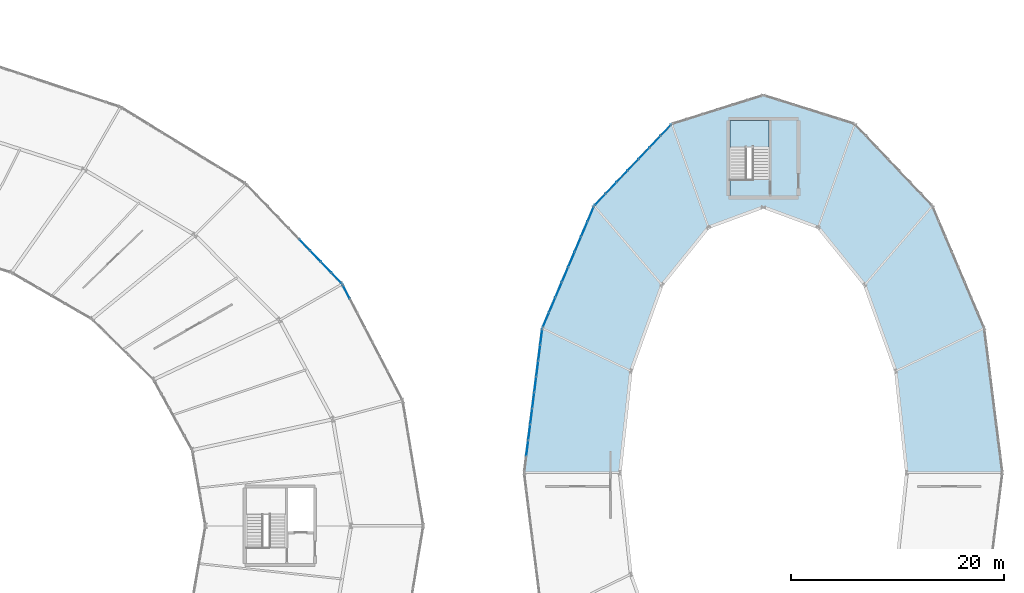
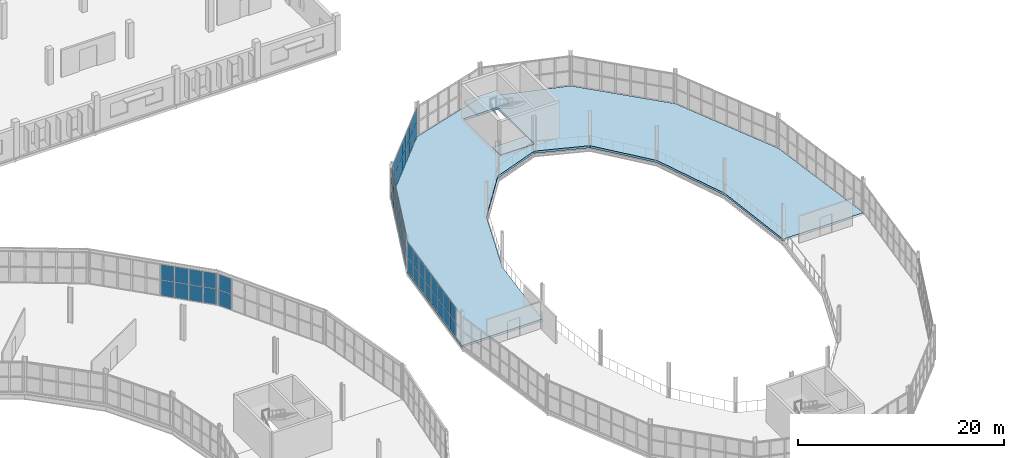
# One storey, part 124 of 161: 56 plates, 3 slabs, 6 elements without a shape of their own.
"""IFC4 building model written with IfcOpenShell, lengths in metres."""

from ifc_helpers import new_model, si_unit, direction, frame, origin, origin_2d, place, context, subcontext, project, spatial, polyline, rectangle, outline, extrude, material, layer, layer_set, type_object, element, aggregate, save


model = new_model("IFC4")

# Units and contexts
model_context = context("Model", 3, precision=1e-05, world=origin(), true_north=direction((0.0, 1.0)))
body_context = subcontext(model_context, "Body", "Model", "MODEL_VIEW")
ifc_project = project(units=[si_unit("LENGTHUNIT", "METRE"), si_unit("AREAUNIT", "SQUARE_METRE"), si_unit("VOLUMEUNIT", "CUBIC_METRE"), si_unit("PLANEANGLEUNIT", "RADIAN"), si_unit("MASSUNIT", "GRAM", prefix="KILO")], contexts=[model_context])

# Site, building, storey
site_placement = place(None, origin())
site = spatial("IfcSite", under=ifc_project, at=site_placement, CompositionType="ELEMENT")
building_placement = place(site_placement, origin())
building = spatial("IfcBuilding", under=site, at=building_placement, Name="Kildeholm Park Wholesale Market", CompositionType="ELEMENT")
storey_placement = place(building_placement, frame((0.0, 0.0, 5.39990234375)))
storey = spatial("IfcBuildingStorey", under=building, at=storey_placement, Name="L01", CompositionType="ELEMENT", Elevation=5.39990234375)

# Curtain wall, plates
ifc_material_1 = material(Name="Anodised aluminium and low-E double-glazed glass", Category="aluminium")
curtain_wall_type = type_object("IfcCurtainWallType", Name="Market hall glazed arcade stick curtain wall CW-01", PredefinedType="NOTDEFINED", material=ifc_material_1)
curtain_wall_1_placement = place(storey_placement, origin())
curtain_wall_1 = element("IfcCurtainWall", 1, at=curtain_wall_1_placement, inside=storey, type_object=curtain_wall_type, Name="Curtain wall CW-V1-OT-01-1 CW-0006", PredefinedType="NOTDEFINED")
ifc_material_2 = material(Name="Double-glazed low-E insulated glass", Category="glass")
ifc_layer_1 = layer(ifc_material_2, 0.028076171875)
ifc_layer_set_1 = layer_set([ifc_layer_1], Name="Double-glazed low-E insulated glass")
plate_type = type_object("IfcPlateType", Name="Curtain-wall panel CWP-1 28 mm", PredefinedType="CURTAIN_PANEL", material=ifc_layer_set_1)
plate_1_placement = place(storey_placement, frame((148.7490234375, 111.52099609375, 0.06494140625), z_axis=(0.0, 0.0, 1.0), x_axis=(-0.460514375909, 0.88765224586, 0.0)))
plate_1 = element("IfcPlate", 2, at=plate_1_placement, type_object=plate_type, Name="CW-01 panel 8.1 PLT-0246", PredefinedType="CURTAIN_PANEL", context=body_context, shape_type="SweptSolid", body=[
    extrude(rectangle(XDim=1.43798828125, YDim=0.028076171875, at=origin_2d()), origin(), (0.0, 0.0, 1.0), 1.802490234375),
])
plate_2_placement = place(storey_placement, frame((148.7490234375, 111.52099609375, 1.9326171875), z_axis=(0.0, 0.0, 1.0), x_axis=(-0.460514375909, 0.88765224586, 0.0)))
plate_2 = element("IfcPlate", 3, at=plate_2_placement, type_object=plate_type, Name="CW-01 panel 8.2 PLT-0247", PredefinedType="CURTAIN_PANEL", context=body_context, shape_type="SweptSolid", body=[
    extrude(rectangle(XDim=1.43798828125, YDim=0.028076171875, at=origin_2d()), origin(), (0.0, 0.0, 1.0), 1.802490234375),
])
aggregate(curtain_wall_1, [plate_1, plate_2])

curtain_wall_2_placement = place(storey_placement, origin())
curtain_wall_2 = element("IfcCurtainWall", 4, at=curtain_wall_2_placement, inside=storey, type_object=curtain_wall_type, Name="Curtain wall CW-V1-OT-02-1 CW-0011", PredefinedType="NOTDEFINED")
plate_3_placement = place(storey_placement, frame((147.82958984375, 112.81396484375, 0.06494140625), z_axis=(0.0, 0.0, 1.0), x_axis=(-0.69303795493, 0.720901097951, 0.0)))
plate_3 = element("IfcPlate", 5, at=plate_3_placement, type_object=plate_type, Name="CW-01 panel 1.1 PLT-0292", PredefinedType="CURTAIN_PANEL", context=body_context, shape_type="SweptSolid", body=[
    extrude(rectangle(XDim=1.345947265625, YDim=0.028076171875, at=origin_2d()), origin(), (0.0, 0.0, 1.0), 1.802490234375),
])
plate_4_placement = place(storey_placement, frame((147.82958984375, 112.81396484375, 1.9326171875), z_axis=(0.0, 0.0, 1.0), x_axis=(-0.69303795493, 0.720901097951, 0.0)))
plate_4 = element("IfcPlate", 6, at=plate_4_placement, type_object=plate_type, Name="CW-01 panel 1.2 PLT-0293", PredefinedType="CURTAIN_PANEL", context=body_context, shape_type="SweptSolid", body=[
    extrude(rectangle(XDim=1.345947265625, YDim=0.028076171875, at=origin_2d()), origin(), (0.0, 0.0, 1.0), 1.802490234375),
])
plate_5_placement = place(storey_placement, frame((146.84033203125, 113.843017578125, 0.06494140625), z_axis=(0.0, 0.0, 1.0), x_axis=(-0.69303795493, 0.720901097951, 0.0)))
plate_5 = element("IfcPlate", 7, at=plate_5_placement, type_object=plate_type, Name="CW-01 panel 2.1 PLT-0294", PredefinedType="CURTAIN_PANEL", context=body_context, shape_type="SweptSolid", body=[
    extrude(rectangle(XDim=1.378662109375, YDim=0.028076171875, at=origin_2d()), origin(), (0.0, 0.0, 1.0), 1.802490234375),
])
plate_6_placement = place(storey_placement, frame((146.84033203125, 113.843017578125, 1.9326171875), z_axis=(0.0, 0.0, 1.0), x_axis=(-0.69303795493, 0.720901097951, 0.0)))
plate_6 = element("IfcPlate", 8, at=plate_6_placement, type_object=plate_type, Name="CW-01 panel 2.2 PLT-0295", PredefinedType="CURTAIN_PANEL", context=body_context, shape_type="SweptSolid", body=[
    extrude(rectangle(XDim=1.378662109375, YDim=0.028076171875, at=origin_2d()), origin(), (0.0, 0.0, 1.0), 1.802490234375),
])
plate_7_placement = place(storey_placement, frame((145.83984375, 114.883544921875, 0.06494140625), z_axis=(0.0, 0.0, 1.0), x_axis=(-0.69303795493, 0.720901097951, 0.0)))
plate_7 = element("IfcPlate", 9, at=plate_7_placement, type_object=plate_type, Name="CW-01 panel 3.1 PLT-0296", PredefinedType="CURTAIN_PANEL", context=body_context, shape_type="SweptSolid", body=[
    extrude(rectangle(XDim=1.378662109375, YDim=0.028076171875, at=origin_2d()), origin(), (0.0, 0.0, 1.0), 1.802490234375),
])
plate_8_placement = place(storey_placement, frame((145.83984375, 114.883544921875, 1.9326171875), z_axis=(0.0, 0.0, 1.0), x_axis=(-0.69303795493, 0.720901097951, 0.0)))
plate_8 = element("IfcPlate", 10, at=plate_8_placement, type_object=plate_type, Name="CW-01 panel 3.2 PLT-0297", PredefinedType="CURTAIN_PANEL", context=body_context, shape_type="SweptSolid", body=[
    extrude(rectangle(XDim=1.378662109375, YDim=0.028076171875, at=origin_2d()), origin(), (0.0, 0.0, 1.0), 1.802490234375),
])
plate_9_placement = place(storey_placement, frame((144.83935546875, 115.92431640625, 0.06494140625), z_axis=(0.0, 0.0, 1.0), x_axis=(-0.69303795493, 0.720901097951, 0.0)))
plate_9 = element("IfcPlate", 11, at=plate_9_placement, type_object=plate_type, Name="CW-01 panel 4.1 PLT-0298", PredefinedType="CURTAIN_PANEL", context=body_context, shape_type="SweptSolid", body=[
    extrude(rectangle(XDim=1.378662109375, YDim=0.028076171875, at=origin_2d()), origin(), (0.0, 0.0, 1.0), 1.802490234375),
])
plate_10_placement = place(storey_placement, frame((144.83935546875, 115.92431640625, 1.9326171875), z_axis=(0.0, 0.0, 1.0), x_axis=(-0.69303795493, 0.720901097951, 0.0)))
plate_10 = element("IfcPlate", 12, at=plate_10_placement, type_object=plate_type, Name="CW-01 panel 4.2 PLT-0299", PredefinedType="CURTAIN_PANEL", context=body_context, shape_type="SweptSolid", body=[
    extrude(rectangle(XDim=1.378662109375, YDim=0.028076171875, at=origin_2d()), origin(), (0.0, 0.0, 1.0), 1.802490234375),
])
aggregate(curtain_wall_2, [plate_3, plate_4, plate_5, plate_6, plate_7, plate_8, plate_9, plate_10])

curtain_wall_3_placement = place(storey_placement, origin())
curtain_wall_3 = element("IfcCurtainWall", 13, at=curtain_wall_3_placement, inside=storey, type_object=curtain_wall_type, Name="Curtain wall CW-V2-L01-05 CW-0124", PredefinedType="NOTDEFINED")
plate_11_placement = place(storey_placement, frame((178.830322265625, 126.720458984375, 0.06494140625), z_axis=(0.0, 0.0, 1.0), x_axis=(-0.688147627866, -0.725570701078, 0.0)))
plate_11 = element("IfcPlate", 14, at=plate_11_placement, type_object=plate_type, Name="CW-01 panel 1.1 PLT-1812", PredefinedType="CURTAIN_PANEL", context=body_context, shape_type="SweptSolid", body=[
    extrude(rectangle(XDim=1.406494140625, YDim=0.028076171875, at=origin_2d()), origin(), (0.0, 0.0, 1.0), 1.677490234375),
])
plate_12_placement = place(storey_placement, frame((178.830322265625, 126.720458984375, 1.8076171875), z_axis=(0.0, 0.0, 1.0), x_axis=(-0.688147627866, -0.725570701078, 0.0)))
plate_12 = element("IfcPlate", 15, at=plate_12_placement, type_object=plate_type, Name="CW-01 panel 1.2 PLT-1813", PredefinedType="CURTAIN_PANEL", context=body_context, shape_type="SweptSolid", body=[
    extrude(rectangle(XDim=1.406494140625, YDim=0.028076171875, at=origin_2d()), origin(), (0.0, 0.0, 1.0), 1.677490234375),
])
plate_13_placement = place(storey_placement, frame((177.806396484375, 125.64111328125, 0.06494140625), z_axis=(0.0, 0.0, 1.0), x_axis=(-0.688147627866, -0.725570701078, 0.0)))
plate_13 = element("IfcPlate", 16, at=plate_13_placement, type_object=plate_type, Name="CW-01 panel 2.1 PLT-1814", PredefinedType="CURTAIN_PANEL", context=body_context, shape_type="SweptSolid", body=[
    extrude(rectangle(XDim=1.43896484375, YDim=0.028076171875, at=origin_2d()), origin(), (0.0, 0.0, 1.0), 1.677490234375),
])
plate_14_placement = place(storey_placement, frame((177.806396484375, 125.64111328125, 1.8076171875), z_axis=(0.0, 0.0, 1.0), x_axis=(-0.688147627866, -0.725570701078, 0.0)))
plate_14 = element("IfcPlate", 17, at=plate_14_placement, type_object=plate_type, Name="CW-01 panel 2.2 PLT-1815", PredefinedType="CURTAIN_PANEL", context=body_context, shape_type="SweptSolid", body=[
    extrude(rectangle(XDim=1.43896484375, YDim=0.028076171875, at=origin_2d()), origin(), (0.0, 0.0, 1.0), 1.677490234375),
])
plate_15_placement = place(storey_placement, frame((176.771484375, 124.5498046875, 0.06494140625), z_axis=(0.0, 0.0, 1.0), x_axis=(-0.688147627866, -0.725570701078, 0.0)))
plate_15 = element("IfcPlate", 18, at=plate_15_placement, type_object=plate_type, Name="CW-01 panel 3.1 PLT-1816", PredefinedType="CURTAIN_PANEL", context=body_context, shape_type="SweptSolid", body=[
    extrude(rectangle(XDim=1.43896484375, YDim=0.028076171875, at=origin_2d()), origin(), (0.0, 0.0, 1.0), 1.677490234375),
])
plate_16_placement = place(storey_placement, frame((176.771484375, 124.5498046875, 1.8076171875), z_axis=(0.0, 0.0, 1.0), x_axis=(-0.688147627866, -0.725570701078, 0.0)))
plate_16 = element("IfcPlate", 19, at=plate_16_placement, type_object=plate_type, Name="CW-01 panel 3.2 PLT-1817", PredefinedType="CURTAIN_PANEL", context=body_context, shape_type="SweptSolid", body=[
    extrude(rectangle(XDim=1.43896484375, YDim=0.028076171875, at=origin_2d()), origin(), (0.0, 0.0, 1.0), 1.677490234375),
])
plate_17_placement = place(storey_placement, frame((175.736572265625, 123.45849609375, 0.06494140625), z_axis=(0.0, 0.0, 1.0), x_axis=(-0.688147627866, -0.725570701078, 0.0)))
plate_17 = element("IfcPlate", 20, at=plate_17_placement, type_object=plate_type, Name="CW-01 panel 4.1 PLT-1818", PredefinedType="CURTAIN_PANEL", context=body_context, shape_type="SweptSolid", body=[
    extrude(rectangle(XDim=1.43896484375, YDim=0.028076171875, at=origin_2d()), origin(), (0.0, 0.0, 1.0), 1.677490234375),
])
plate_18_placement = place(storey_placement, frame((175.736572265625, 123.45849609375, 1.8076171875), z_axis=(0.0, 0.0, 1.0), x_axis=(-0.688147627866, -0.725570701078, 0.0)))
plate_18 = element("IfcPlate", 21, at=plate_18_placement, type_object=plate_type, Name="CW-01 panel 4.2 PLT-1819", PredefinedType="CURTAIN_PANEL", context=body_context, shape_type="SweptSolid", body=[
    extrude(rectangle(XDim=1.43896484375, YDim=0.028076171875, at=origin_2d()), origin(), (0.0, 0.0, 1.0), 1.677490234375),
])
plate_19_placement = place(storey_placement, frame((174.701416015625, 122.3671875, 0.06494140625), z_axis=(0.0, 0.0, 1.0), x_axis=(-0.688147627866, -0.725570701078, 0.0)))
plate_19 = element("IfcPlate", 22, at=plate_19_placement, type_object=plate_type, Name="CW-01 panel 5.1 PLT-1820", PredefinedType="CURTAIN_PANEL", context=body_context, shape_type="SweptSolid", body=[
    extrude(rectangle(XDim=1.43896484375, YDim=0.028076171875, at=origin_2d()), origin(), (0.0, 0.0, 1.0), 1.677490234375),
])
plate_20_placement = place(storey_placement, frame((174.701416015625, 122.3671875, 1.8076171875), z_axis=(0.0, 0.0, 1.0), x_axis=(-0.688147627866, -0.725570701078, 0.0)))
plate_20 = element("IfcPlate", 23, at=plate_20_placement, type_object=plate_type, Name="CW-01 panel 5.2 PLT-1821", PredefinedType="CURTAIN_PANEL", context=body_context, shape_type="SweptSolid", body=[
    extrude(rectangle(XDim=1.43896484375, YDim=0.028076171875, at=origin_2d()), origin(), (0.0, 0.0, 1.0), 1.677490234375),
])
plate_21_placement = place(storey_placement, frame((173.66650390625, 121.27587890625, 0.06494140625), z_axis=(0.0, 0.0, 1.0), x_axis=(-0.688147627866, -0.725570701078, 0.0)))
plate_21 = element("IfcPlate", 24, at=plate_21_placement, type_object=plate_type, Name="CW-01 panel 6.1 PLT-1822", PredefinedType="CURTAIN_PANEL", context=body_context, shape_type="SweptSolid", body=[
    extrude(rectangle(XDim=1.43896484375, YDim=0.028076171875, at=origin_2d()), origin(), (0.0, 0.0, 1.0), 1.677490234375),
])
plate_22_placement = place(storey_placement, frame((173.66650390625, 121.27587890625, 1.8076171875), z_axis=(0.0, 0.0, 1.0), x_axis=(-0.688147627866, -0.725570701078, 0.0)))
plate_22 = element("IfcPlate", 25, at=plate_22_placement, type_object=plate_type, Name="CW-01 panel 6.2 PLT-1823", PredefinedType="CURTAIN_PANEL", context=body_context, shape_type="SweptSolid", body=[
    extrude(rectangle(XDim=1.43896484375, YDim=0.028076171875, at=origin_2d()), origin(), (0.0, 0.0, 1.0), 1.677490234375),
])
plate_23_placement = place(storey_placement, frame((172.642578125, 120.196533203125, 0.06494140625), z_axis=(0.0, 0.0, 1.0), x_axis=(-0.688147627866, -0.725570701078, 0.0)))
plate_23 = element("IfcPlate", 26, at=plate_23_placement, type_object=plate_type, Name="CW-01 panel 7.1 PLT-1824", PredefinedType="CURTAIN_PANEL", context=body_context, shape_type="SweptSolid", body=[
    extrude(rectangle(XDim=1.406494140625, YDim=0.028076171875, at=origin_2d()), origin(), (0.0, 0.0, 1.0), 1.677490234375),
])
plate_24_placement = place(storey_placement, frame((172.642578125, 120.196533203125, 1.8076171875), z_axis=(0.0, 0.0, 1.0), x_axis=(-0.688147627866, -0.725570701078, 0.0)))
plate_24 = element("IfcPlate", 27, at=plate_24_placement, type_object=plate_type, Name="CW-01 panel 7.2 PLT-1825", PredefinedType="CURTAIN_PANEL", context=body_context, shape_type="SweptSolid", body=[
    extrude(rectangle(XDim=1.406494140625, YDim=0.028076171875, at=origin_2d()), origin(), (0.0, 0.0, 1.0), 1.677490234375),
])
aggregate(curtain_wall_3, [plate_11, plate_12, plate_13, plate_14, plate_15, plate_16, plate_17, plate_18, plate_19, plate_20, plate_21, plate_22, plate_23, plate_24])

curtain_wall_4_placement = place(storey_placement, origin())
curtain_wall_4 = element("IfcCurtainWall", 28, at=curtain_wall_4_placement, inside=storey, type_object=curtain_wall_type, Name="Curtain wall CW-V2-L01-06 CW-0125", PredefinedType="NOTDEFINED")
plate_25_placement = place(storey_placement, frame((171.7607421875, 118.8408203125, 0.06494140625), z_axis=(0.0, 0.0, 1.0), x_axis=(-0.389905076002, -0.920855054668, 0.0)))
plate_25 = element("IfcPlate", 29, at=plate_25_placement, type_object=plate_type, Name="CW-01 panel 1.1 PLT-1826", PredefinedType="CURTAIN_PANEL", context=body_context, shape_type="SweptSolid", body=[
    extrude(rectangle(XDim=1.4560546875, YDim=0.028076171875, at=origin_2d()), origin(), (0.0, 0.0, 1.0), 1.677490234375),
])
plate_26_placement = place(storey_placement, frame((171.7607421875, 118.8408203125, 1.8076171875), z_axis=(0.0, 0.0, 1.0), x_axis=(-0.389905076002, -0.920855054668, 0.0)))
plate_26 = element("IfcPlate", 30, at=plate_26_placement, type_object=plate_type, Name="CW-01 panel 1.2 PLT-1827", PredefinedType="CURTAIN_PANEL", context=body_context, shape_type="SweptSolid", body=[
    extrude(rectangle(XDim=1.4560546875, YDim=0.028076171875, at=origin_2d()), origin(), (0.0, 0.0, 1.0), 1.677490234375),
])
plate_27_placement = place(storey_placement, frame((171.161376953125, 117.425048828125, 0.06494140625), z_axis=(0.0, 0.0, 1.0), x_axis=(-0.389905076002, -0.920855054668, 0.0)))
plate_27 = element("IfcPlate", 31, at=plate_27_placement, type_object=plate_type, Name="CW-01 panel 2.1 PLT-1828", PredefinedType="CURTAIN_PANEL", context=body_context, shape_type="SweptSolid", body=[
    extrude(rectangle(XDim=1.488525390625, YDim=0.028076171875, at=origin_2d()), origin(), (0.0, 0.0, 1.0), 1.677490234375),
])
plate_28_placement = place(storey_placement, frame((171.161376953125, 117.425048828125, 1.8076171875), z_axis=(0.0, 0.0, 1.0), x_axis=(-0.389905076002, -0.920855054668, 0.0)))
plate_28 = element("IfcPlate", 32, at=plate_28_placement, type_object=plate_type, Name="CW-01 panel 2.2 PLT-1829", PredefinedType="CURTAIN_PANEL", context=body_context, shape_type="SweptSolid", body=[
    extrude(rectangle(XDim=1.488525390625, YDim=0.028076171875, at=origin_2d()), origin(), (0.0, 0.0, 1.0), 1.677490234375),
])
plate_29_placement = place(storey_placement, frame((170.5556640625, 115.994384765625, 0.06494140625), z_axis=(0.0, 0.0, 1.0), x_axis=(-0.389905076002, -0.920855054668, 0.0)))
plate_29 = element("IfcPlate", 33, at=plate_29_placement, type_object=plate_type, Name="CW-01 panel 3.1 PLT-1830", PredefinedType="CURTAIN_PANEL", context=body_context, shape_type="SweptSolid", body=[
    extrude(rectangle(XDim=1.488525390625, YDim=0.028076171875, at=origin_2d()), origin(), (0.0, 0.0, 1.0), 1.677490234375),
])
plate_30_placement = place(storey_placement, frame((170.5556640625, 115.994384765625, 1.8076171875), z_axis=(0.0, 0.0, 1.0), x_axis=(-0.389905076002, -0.920855054668, 0.0)))
plate_30 = element("IfcPlate", 34, at=plate_30_placement, type_object=plate_type, Name="CW-01 panel 3.2 PLT-1831", PredefinedType="CURTAIN_PANEL", context=body_context, shape_type="SweptSolid", body=[
    extrude(rectangle(XDim=1.488525390625, YDim=0.028076171875, at=origin_2d()), origin(), (0.0, 0.0, 1.0), 1.677490234375),
])
plate_31_placement = place(storey_placement, frame((169.949951171875, 114.563720703125, 0.06494140625), z_axis=(0.0, 0.0, 1.0), x_axis=(-0.389905076002, -0.920855054668, 0.0)))
plate_31 = element("IfcPlate", 35, at=plate_31_placement, type_object=plate_type, Name="CW-01 panel 4.1 PLT-1832", PredefinedType="CURTAIN_PANEL", context=body_context, shape_type="SweptSolid", body=[
    extrude(rectangle(XDim=1.488525390625, YDim=0.028076171875, at=origin_2d()), origin(), (0.0, 0.0, 1.0), 1.677490234375),
])
plate_32_placement = place(storey_placement, frame((169.949951171875, 114.563720703125, 1.8076171875), z_axis=(0.0, 0.0, 1.0), x_axis=(-0.389905076002, -0.920855054668, 0.0)))
plate_32 = element("IfcPlate", 36, at=plate_32_placement, type_object=plate_type, Name="CW-01 panel 4.2 PLT-1833", PredefinedType="CURTAIN_PANEL", context=body_context, shape_type="SweptSolid", body=[
    extrude(rectangle(XDim=1.488525390625, YDim=0.028076171875, at=origin_2d()), origin(), (0.0, 0.0, 1.0), 1.677490234375),
])
plate_33_placement = place(storey_placement, frame((169.34423828125, 113.13330078125, 0.06494140625), z_axis=(0.0, 0.0, 1.0), x_axis=(-0.389905076002, -0.920855054668, 0.0)))
plate_33 = element("IfcPlate", 37, at=plate_33_placement, type_object=plate_type, Name="CW-01 panel 5.1 PLT-1834", PredefinedType="CURTAIN_PANEL", context=body_context, shape_type="SweptSolid", body=[
    extrude(rectangle(XDim=1.488525390625, YDim=0.028076171875, at=origin_2d()), origin(), (0.0, 0.0, 1.0), 1.677490234375),
])
plate_34_placement = place(storey_placement, frame((169.34423828125, 113.13330078125, 1.8076171875), z_axis=(0.0, 0.0, 1.0), x_axis=(-0.389905076002, -0.920855054668, 0.0)))
plate_34 = element("IfcPlate", 38, at=plate_34_placement, type_object=plate_type, Name="CW-01 panel 5.2 PLT-1835", PredefinedType="CURTAIN_PANEL", context=body_context, shape_type="SweptSolid", body=[
    extrude(rectangle(XDim=1.488525390625, YDim=0.028076171875, at=origin_2d()), origin(), (0.0, 0.0, 1.0), 1.677490234375),
])
plate_35_placement = place(storey_placement, frame((168.73828125, 111.70263671875, 0.06494140625), z_axis=(0.0, 0.0, 1.0), x_axis=(-0.389905076002, -0.920855054668, 0.0)))
plate_35 = element("IfcPlate", 39, at=plate_35_placement, type_object=plate_type, Name="CW-01 panel 6.1 PLT-1836", PredefinedType="CURTAIN_PANEL", context=body_context, shape_type="SweptSolid", body=[
    extrude(rectangle(XDim=1.488525390625, YDim=0.028076171875, at=origin_2d()), origin(), (0.0, 0.0, 1.0), 1.677490234375),
])
plate_36_placement = place(storey_placement, frame((168.73828125, 111.70263671875, 1.8076171875), z_axis=(0.0, 0.0, 1.0), x_axis=(-0.389905076002, -0.920855054668, 0.0)))
plate_36 = element("IfcPlate", 40, at=plate_36_placement, type_object=plate_type, Name="CW-01 panel 6.2 PLT-1837", PredefinedType="CURTAIN_PANEL", context=body_context, shape_type="SweptSolid", body=[
    extrude(rectangle(XDim=1.488525390625, YDim=0.028076171875, at=origin_2d()), origin(), (0.0, 0.0, 1.0), 1.677490234375),
])
plate_37_placement = place(storey_placement, frame((168.132568359375, 110.27197265625, 0.06494140625), z_axis=(0.0, 0.0, 1.0), x_axis=(-0.389905076002, -0.920855054668, 0.0)))
plate_37 = element("IfcPlate", 41, at=plate_37_placement, type_object=plate_type, Name="CW-01 panel 7.1 PLT-1838", PredefinedType="CURTAIN_PANEL", context=body_context, shape_type="SweptSolid", body=[
    extrude(rectangle(XDim=1.488525390625, YDim=0.028076171875, at=origin_2d()), origin(), (0.0, 0.0, 1.0), 1.677490234375),
])
plate_38_placement = place(storey_placement, frame((168.132568359375, 110.27197265625, 1.8076171875), z_axis=(0.0, 0.0, 1.0), x_axis=(-0.389905076002, -0.920855054668, 0.0)))
plate_38 = element("IfcPlate", 42, at=plate_38_placement, type_object=plate_type, Name="CW-01 panel 7.2 PLT-1839", PredefinedType="CURTAIN_PANEL", context=body_context, shape_type="SweptSolid", body=[
    extrude(rectangle(XDim=1.488525390625, YDim=0.028076171875, at=origin_2d()), origin(), (0.0, 0.0, 1.0), 1.677490234375),
])
plate_39_placement = place(storey_placement, frame((167.533203125, 108.856201171875, 0.06494140625), z_axis=(0.0, 0.0, 1.0), x_axis=(-0.389905076002, -0.920855054668, 0.0)))
plate_39 = element("IfcPlate", 43, at=plate_39_placement, type_object=plate_type, Name="CW-01 panel 8.1 PLT-1840", PredefinedType="CURTAIN_PANEL", context=body_context, shape_type="SweptSolid", body=[
    extrude(rectangle(XDim=1.4560546875, YDim=0.028076171875, at=origin_2d()), origin(), (0.0, 0.0, 1.0), 1.677490234375),
])
plate_40_placement = place(storey_placement, frame((167.533203125, 108.856201171875, 1.8076171875), z_axis=(0.0, 0.0, 1.0), x_axis=(-0.389905076002, -0.920855054668, 0.0)))
plate_40 = element("IfcPlate", 44, at=plate_40_placement, type_object=plate_type, Name="CW-01 panel 8.2 PLT-1841", PredefinedType="CURTAIN_PANEL", context=body_context, shape_type="SweptSolid", body=[
    extrude(rectangle(XDim=1.4560546875, YDim=0.028076171875, at=origin_2d()), origin(), (0.0, 0.0, 1.0), 1.677490234375),
])
aggregate(curtain_wall_4, [plate_25, plate_26, plate_27, plate_28, plate_29, plate_30, plate_31, plate_32, plate_33, plate_34, plate_35, plate_36, plate_37, plate_38, plate_39, plate_40])

curtain_wall_5_placement = place(storey_placement, origin())
curtain_wall_5 = element("IfcCurtainWall", 45, at=curtain_wall_5_placement, inside=storey, type_object=curtain_wall_type, Name="Curtain wall CW-V2-L01-07 CW-0126", PredefinedType="NOTDEFINED")
plate_41_placement = place(storey_placement, frame((167.1064453125, 107.281494140625, 0.06494140625), z_axis=(0.0, 0.0, 1.0), x_axis=(-0.12509240377, -0.992145095497, 0.0)))
plate_41 = element("IfcPlate", 46, at=plate_41_placement, type_object=plate_type, Name="CW-01 panel 1.1 PLT-1842", PredefinedType="CURTAIN_PANEL", context=body_context, shape_type="SweptSolid", body=[
    extrude(rectangle(XDim=1.4150390625, YDim=0.028076171875, at=origin_2d()), origin(), (0.0, 0.0, 1.0), 1.677490234375),
])
plate_42_placement = place(storey_placement, frame((167.1064453125, 107.281494140625, 1.8076171875), z_axis=(0.0, 0.0, 1.0), x_axis=(-0.12509240377, -0.992145095497, 0.0)))
plate_42 = element("IfcPlate", 47, at=plate_42_placement, type_object=plate_type, Name="CW-01 panel 1.2 PLT-1843", PredefinedType="CURTAIN_PANEL", context=body_context, shape_type="SweptSolid", body=[
    extrude(rectangle(XDim=1.4150390625, YDim=0.028076171875, at=origin_2d()), origin(), (0.0, 0.0, 1.0), 1.677490234375),
])
plate_43_placement = place(storey_placement, frame((166.919189453125, 105.796875, 0.06494140625), z_axis=(0.0, 0.0, 1.0), x_axis=(-0.12509240377, -0.992145095497, 0.0)))
plate_43 = element("IfcPlate", 48, at=plate_43_placement, type_object=plate_type, Name="CW-01 panel 2.1 PLT-1844", PredefinedType="CURTAIN_PANEL", context=body_context, shape_type="SweptSolid", body=[
    extrude(rectangle(XDim=1.44775390625, YDim=0.028076171875, at=origin_2d()), origin(), (0.0, 0.0, 1.0), 1.677490234375),
])
plate_44_placement = place(storey_placement, frame((166.919189453125, 105.796875, 1.8076171875), z_axis=(0.0, 0.0, 1.0), x_axis=(-0.12509240377, -0.992145095497, 0.0)))
plate_44 = element("IfcPlate", 49, at=plate_44_placement, type_object=plate_type, Name="CW-01 panel 2.2 PLT-1845", PredefinedType="CURTAIN_PANEL", context=body_context, shape_type="SweptSolid", body=[
    extrude(rectangle(XDim=1.44775390625, YDim=0.028076171875, at=origin_2d()), origin(), (0.0, 0.0, 1.0), 1.677490234375),
])
plate_45_placement = place(storey_placement, frame((166.72998046875, 104.296142578125, 0.06494140625), z_axis=(0.0, 0.0, 1.0), x_axis=(-0.12509240377, -0.992145095497, 0.0)))
plate_45 = element("IfcPlate", 50, at=plate_45_placement, type_object=plate_type, Name="CW-01 panel 3.1 PLT-1846", PredefinedType="CURTAIN_PANEL", context=body_context, shape_type="SweptSolid", body=[
    extrude(rectangle(XDim=1.44775390625, YDim=0.028076171875, at=origin_2d()), origin(), (0.0, 0.0, 1.0), 1.677490234375),
])
plate_46_placement = place(storey_placement, frame((166.72998046875, 104.296142578125, 1.8076171875), z_axis=(0.0, 0.0, 1.0), x_axis=(-0.12509240377, -0.992145095497, 0.0)))
plate_46 = element("IfcPlate", 51, at=plate_46_placement, type_object=plate_type, Name="CW-01 panel 3.2 PLT-1847", PredefinedType="CURTAIN_PANEL", context=body_context, shape_type="SweptSolid", body=[
    extrude(rectangle(XDim=1.44775390625, YDim=0.028076171875, at=origin_2d()), origin(), (0.0, 0.0, 1.0), 1.677490234375),
])
plate_47_placement = place(storey_placement, frame((166.540771484375, 102.795166015625, 0.06494140625), z_axis=(0.0, 0.0, 1.0), x_axis=(-0.12509240377, -0.992145095497, 0.0)))
plate_47 = element("IfcPlate", 52, at=plate_47_placement, type_object=plate_type, Name="CW-01 panel 4.1 PLT-1848", PredefinedType="CURTAIN_PANEL", context=body_context, shape_type="SweptSolid", body=[
    extrude(rectangle(XDim=1.44775390625, YDim=0.028076171875, at=origin_2d()), origin(), (0.0, 0.0, 1.0), 1.677490234375),
])
plate_48_placement = place(storey_placement, frame((166.540771484375, 102.795166015625, 1.8076171875), z_axis=(0.0, 0.0, 1.0), x_axis=(-0.12509240377, -0.992145095497, 0.0)))
plate_48 = element("IfcPlate", 53, at=plate_48_placement, type_object=plate_type, Name="CW-01 panel 4.2 PLT-1849", PredefinedType="CURTAIN_PANEL", context=body_context, shape_type="SweptSolid", body=[
    extrude(rectangle(XDim=1.44775390625, YDim=0.028076171875, at=origin_2d()), origin(), (0.0, 0.0, 1.0), 1.677490234375),
])
plate_49_placement = place(storey_placement, frame((166.3515625, 101.29443359375, 0.06494140625), z_axis=(0.0, 0.0, 1.0), x_axis=(-0.12509240377, -0.992145095497, 0.0)))
plate_49 = element("IfcPlate", 54, at=plate_49_placement, type_object=plate_type, Name="CW-01 panel 5.1 PLT-1850", PredefinedType="CURTAIN_PANEL", context=body_context, shape_type="SweptSolid", body=[
    extrude(rectangle(XDim=1.44775390625, YDim=0.028076171875, at=origin_2d()), origin(), (0.0, 0.0, 1.0), 1.677490234375),
])
plate_50_placement = place(storey_placement, frame((166.3515625, 101.29443359375, 1.8076171875), z_axis=(0.0, 0.0, 1.0), x_axis=(-0.12509240377, -0.992145095497, 0.0)))
plate_50 = element("IfcPlate", 55, at=plate_50_placement, type_object=plate_type, Name="CW-01 panel 5.2 PLT-1851", PredefinedType="CURTAIN_PANEL", context=body_context, shape_type="SweptSolid", body=[
    extrude(rectangle(XDim=1.44775390625, YDim=0.028076171875, at=origin_2d()), origin(), (0.0, 0.0, 1.0), 1.677490234375),
])
plate_51_placement = place(storey_placement, frame((166.162353515625, 99.793701171875, 0.06494140625), z_axis=(0.0, 0.0, 1.0), x_axis=(-0.12509240377, -0.992145095497, 0.0)))
plate_51 = element("IfcPlate", 56, at=plate_51_placement, type_object=plate_type, Name="CW-01 panel 6.1 PLT-1852", PredefinedType="CURTAIN_PANEL", context=body_context, shape_type="SweptSolid", body=[
    extrude(rectangle(XDim=1.44775390625, YDim=0.028076171875, at=origin_2d()), origin(), (0.0, 0.0, 1.0), 1.677490234375),
])
plate_52_placement = place(storey_placement, frame((166.162353515625, 99.793701171875, 1.8076171875), z_axis=(0.0, 0.0, 1.0), x_axis=(-0.12509240377, -0.992145095497, 0.0)))
plate_52 = element("IfcPlate", 57, at=plate_52_placement, type_object=plate_type, Name="CW-01 panel 6.2 PLT-1853", PredefinedType="CURTAIN_PANEL", context=body_context, shape_type="SweptSolid", body=[
    extrude(rectangle(XDim=1.44775390625, YDim=0.028076171875, at=origin_2d()), origin(), (0.0, 0.0, 1.0), 1.677490234375),
])
plate_53_placement = place(storey_placement, frame((165.97314453125, 98.29296875, 0.06494140625), z_axis=(0.0, 0.0, 1.0), x_axis=(-0.12509240377, -0.992145095497, 0.0)))
plate_53 = element("IfcPlate", 58, at=plate_53_placement, type_object=plate_type, Name="CW-01 panel 7.1 PLT-1854", PredefinedType="CURTAIN_PANEL", context=body_context, shape_type="SweptSolid", body=[
    extrude(rectangle(XDim=1.44775390625, YDim=0.028076171875, at=origin_2d()), origin(), (0.0, 0.0, 1.0), 1.677490234375),
])
plate_54_placement = place(storey_placement, frame((165.97314453125, 98.29296875, 1.8076171875), z_axis=(0.0, 0.0, 1.0), x_axis=(-0.12509240377, -0.992145095497, 0.0)))
plate_54 = element("IfcPlate", 59, at=plate_54_placement, type_object=plate_type, Name="CW-01 panel 7.2 PLT-1855", PredefinedType="CURTAIN_PANEL", context=body_context, shape_type="SweptSolid", body=[
    extrude(rectangle(XDim=1.44775390625, YDim=0.028076171875, at=origin_2d()), origin(), (0.0, 0.0, 1.0), 1.677490234375),
])
plate_55_placement = place(storey_placement, frame((165.783935546875, 96.792236328125, 0.06494140625), z_axis=(0.0, 0.0, 1.0), x_axis=(-0.12509240377, -0.992145095497, 0.0)))
plate_55 = element("IfcPlate", 60, at=plate_55_placement, type_object=plate_type, Name="CW-01 panel 8.1 PLT-1856", PredefinedType="CURTAIN_PANEL", context=body_context, shape_type="SweptSolid", body=[
    extrude(rectangle(XDim=1.44775390625, YDim=0.028076171875, at=origin_2d()), origin(), (0.0, 0.0, 1.0), 1.677490234375),
])
plate_56_placement = place(storey_placement, frame((165.783935546875, 96.792236328125, 1.8076171875), z_axis=(0.0, 0.0, 1.0), x_axis=(-0.12509240377, -0.992145095497, 0.0)))
plate_56 = element("IfcPlate", 61, at=plate_56_placement, type_object=plate_type, Name="CW-01 panel 8.2 PLT-1857", PredefinedType="CURTAIN_PANEL", context=body_context, shape_type="SweptSolid", body=[
    extrude(rectangle(XDim=1.44775390625, YDim=0.028076171875, at=origin_2d()), origin(), (0.0, 0.0, 1.0), 1.677490234375),
])
aggregate(curtain_wall_5, [plate_41, plate_42, plate_43, plate_44, plate_45, plate_46, plate_47, plate_48, plate_49, plate_50, plate_51, plate_52, plate_53, plate_54, plate_55, plate_56])

# Slabs
ifc_material_3 = material(Name="Concrete C35/45", Category="concrete")
ifc_layer_2 = layer(ifc_material_3, 0.260009765625)
ifc_layer_set_2 = layer_set([ifc_layer_2], Name="Concrete C35/45")
slab_type_1 = type_object("IfcSlabType", Name="Slab S-FL5 260 mm", PredefinedType="FLOOR", material=ifc_layer_set_2)
slab_1_placement = place(storey_placement, frame((0.0, 0.0, -0.260009765625)))
element("IfcSlab", 62, at=slab_1_placement, inside=storey, type_object=slab_type_1, Name="Fish and flower hall L01 gallery slab N SLB-0303", PredefinedType="FLOOR", context=body_context, shape_type="SweptSolid", body=[
    extrude(outline(polyline([(201.5, 94.5), (200.471923828125, 104.06689453125), (197.5458984375, 112.177978515625), (193.166015625, 117.596923828125), (188.0, 119.5), (182.833984375, 117.596923828125), (178.4541015625, 112.177978515625), (175.528076171875, 104.06689453125), (174.5, 94.5), (165.5, 94.5), (167.212890625, 108.0849609375), (172.090087890625, 119.60205078125), (179.389892578125, 127.298095703125), (188.0, 130.0), (196.610107421875, 127.298095703125), (203.909912109375, 119.60205078125), (208.787109375, 108.0849609375), (210.5, 94.5), (201.5, 94.5)]), holes=[polyline([(188.679931640625, 120.52001953125), (188.679931640625, 127.679931640625), (184.820068359375, 127.679931640625), (184.820068359375, 120.52001953125), (188.679931640625, 120.52001953125)])]), origin(), (0.0, 0.0, 1.0), 0.260009765625),
])
ifc_layer_3 = layer(ifc_material_3, 0.239990234375)
ifc_layer_set_3 = layer_set([ifc_layer_3], Name="Concrete C35/45")
slab_type_2 = type_object("IfcSlabType", Name="Stair landing slab S-LD1 240 mm", PredefinedType="LANDING", material=ifc_layer_set_3)
slab_2_placement = place(storey_placement, frame((0.0, 0.0, -0.239990234375)))
element("IfcSlab", 63, at=slab_2_placement, inside=storey, type_object=slab_type_2, Name="Core C13 stair landing slab L01 SLB-0478", PredefinedType="LANDING", context=body_context, shape_type="SweptSolid", body=[
    extrude(outline(polyline([(184.85009765625, 120.550048828125), (188.64990234375, 120.550048828125), (188.64990234375, 122.10009765625), (184.85009765625, 122.10009765625), (184.85009765625, 120.550048828125)])), origin(), (0.0, 0.0, 1.0), 0.239990234375),
])

# Stair, slab
stair_type = type_object("IfcStairType", Name="Protected upper core escape stair ST-CR2", PredefinedType="HALF_TURN_STAIR", material=ifc_material_3)
stair_placement = place(storey_placement, origin())
stair = element("IfcStair", 64, at=stair_placement, inside=storey, type_object=stair_type, Name="Escape stair C13 L01 STR-0031", PredefinedType="HALF_TURN_STAIR")
slab_3_placement = place(storey_placement, frame((0.0, 0.0, 1.860107421875)))
slab_3 = element("IfcSlab", 65, at=slab_3_placement, type_object=slab_type_2, Name="ST-13-01 landing 1 SLB-0479", PredefinedType="LANDING", context=body_context, shape_type="SweptSolid", body=[
    extrude(outline(polyline([(184.85009765625, 125.114990234375), (188.530029296875, 125.135009765625), (188.530029296875, 127.64990234375), (184.85009765625, 127.64990234375), (184.85009765625, 125.114990234375)])), origin(), (0.0, 0.0, 1.0), 0.239990234375),
])
aggregate(stair, [slab_3])

save(model, "model.ifc")
